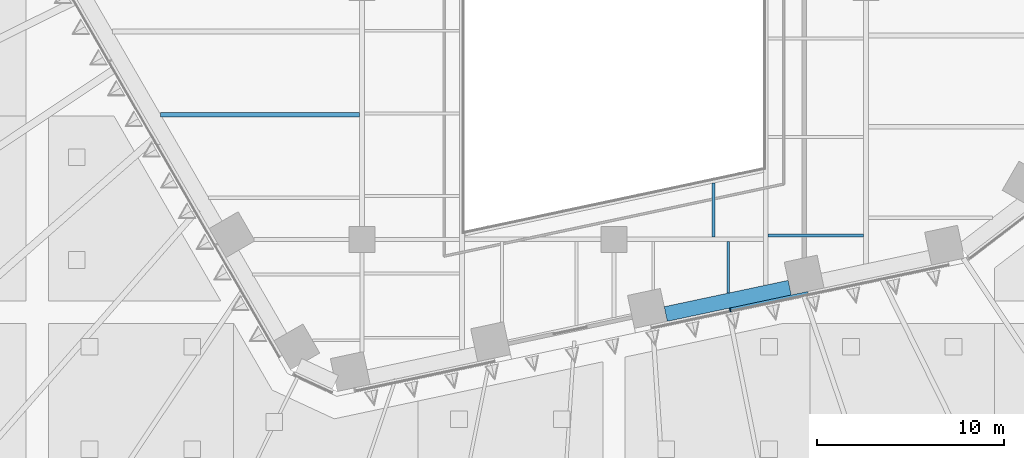
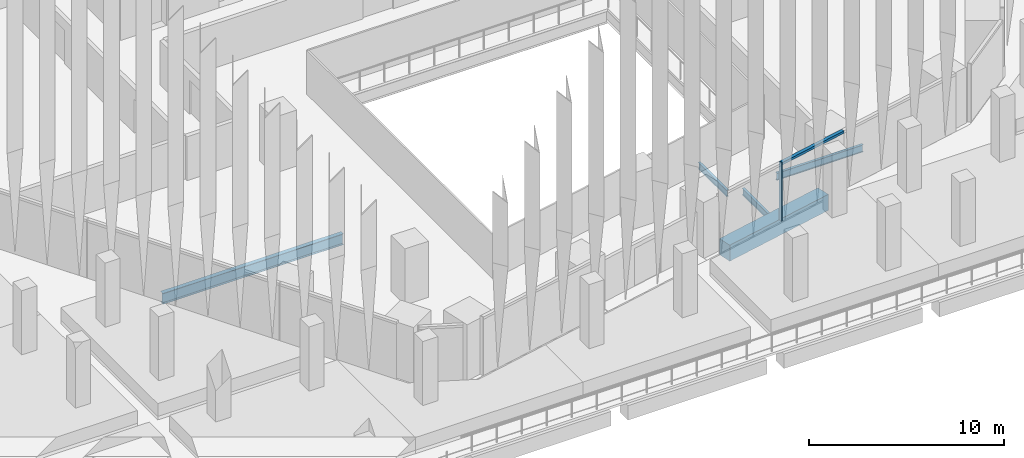
# One storey, part 5 of 51: 5 beams, 2 members, 1 element without a shape of its own.
"""IFC4 building model written with IfcOpenShell, lengths in metres."""

from ifc_helpers import new_model, si_unit, direction, frame, origin, origin_2d, place, context, subcontext, project, spatial, rectangle, i_section, extrude, material, layer, layer_set, material_profile, profile_set, type_object, element, aggregate, save


model = new_model("IFC4")

# Units and contexts
model_context = context("Model", 3, precision=1e-05, world=origin(), true_north=direction((0.0, 1.0)))
body_context = subcontext(model_context, "Body", "Model", "MODEL_VIEW")
ifc_project = project(units=[si_unit("LENGTHUNIT", "METRE"), si_unit("AREAUNIT", "SQUARE_METRE"), si_unit("VOLUMEUNIT", "CUBIC_METRE"), si_unit("PLANEANGLEUNIT", "RADIAN"), si_unit("MASSUNIT", "GRAM", prefix="KILO")], contexts=[model_context])

# Site, building, storey
site_placement = place(None, origin())
site = spatial("IfcSite", under=ifc_project, at=site_placement, CompositionType="ELEMENT")
building_placement = place(site_placement, origin())
building = spatial("IfcBuilding", under=site, at=building_placement, Name="Isthmus Gate Tower", CompositionType="ELEMENT")
storey_placement = place(building_placement, frame((0.0, 0.0, 36.0)))
storey = spatial("IfcBuildingStorey", under=building, at=storey_placement, Name="L06", CompositionType="ELEMENT", Elevation=36.0)

# Curtain wall, members
ifc_material_1 = material(Name="Aluminium, pale champagne anodised", Category="aluminium")
ifc_layer = layer(ifc_material_1, 0.199951171875)
ifc_layer_set = layer_set([ifc_layer], Name="CW-1 UNITISED CURTAIN WALL 200 DEEP")
curtain_wall_type = type_object("IfcCurtainWallType", Name="CW-1 UNITISED CURTAIN WALL 200 DEEP", PredefinedType="NOTDEFINED", material=ifc_layer_set)
curtain_wall_placement = place(storey_placement, origin())
curtain_wall = element("IfcCurtainWall", 1, at=curtain_wall_placement, inside=storey, type_object=curtain_wall_type, Name="CW-1 S L06", PredefinedType="NOTDEFINED")
ifc_material_2 = material(Name="Aluminium, pale champagne anodised", Category="aluminium")
ifc_material_profile_1 = material_profile(ifc_material_2, rectangle(XDim=0.06005859375, YDim=0.199951171875, at=origin_2d()), Name="60x200")
ifc_profile_set_1 = profile_set([ifc_material_profile_1], Name="Aluminium, pale champagne anodised")
member_type_1 = type_object("IfcMemberType", Name="CW-1 MULLION 60 X 200", PredefinedType="MULLION", material=ifc_profile_set_1)
member_1_placement = place(storey_placement, frame((6.228759765625, -30.7783203125, 0.0), z_axis=(0.0, 0.0, 1.0), x_axis=(0.978147600734, 0.207911690818, 0.0)))
member_1 = element("IfcMember", 2, at=member_1_placement, type_object=member_type_1, Name="CW-1 mullion", PredefinedType="MULLION", context=body_context, shape_type="SweptSolid", body=[
    extrude(rectangle(XDim=0.06005859375, YDim=0.199951171875, at=origin_2d()), origin(), (0.0, 0.0, 1.0), 3.64990234375),
])
ifc_material_3 = material(Name="Aluminium, pale champagne anodised", Category="aluminium")
ifc_material_profile_2 = material_profile(ifc_material_3, rectangle(XDim=0.199951171875, YDim=0.14990234375, at=origin_2d()), Name="200x150")
ifc_profile_set_2 = profile_set([ifc_material_profile_2], Name="Aluminium, pale champagne anodised")
member_type_2 = type_object("IfcMemberType", Name="CW-1 TRANSOM 200 X 150", PredefinedType="USERDEFINED", material=ifc_profile_set_2)
member_2_placement = place(storey_placement, frame((6.258056640625, -30.77197265625, 3.574951171875), z_axis=(0.978150351608, 0.20789874855, 0.0), x_axis=(-0.20789874855, 0.978150351608, 0.0)))
member_2 = element("IfcMember", 3, at=member_2_placement, type_object=member_type_2, Name="CW-1 transom", ObjectType="TRANSOM", PredefinedType="USERDEFINED", context=body_context, shape_type="SweptSolid", body=[
    extrude(rectangle(XDim=0.199951171875, YDim=0.14990234375, at=origin_2d()), origin(), (0.0, 0.0, 1.0), 4.234619140625),
])
aggregate(curtain_wall, [member_1, member_2])

# Beams
ifc_material_4 = material(Name="Concrete f'c 70 MPa", Category="concrete")
ifc_material_profile_3 = material_profile(ifc_material_4, rectangle(XDim=0.800048828125, YDim=1.0, at=origin_2d()), Name="RC 800X1000")
ifc_profile_set_3 = profile_set([ifc_material_profile_3], Name="Concrete f'c 70 MPa")
beam_type_1 = type_object("IfcBeamType", Name="RC SPANDREL 800 X 1000", PredefinedType="SPANDREL", material=ifc_profile_set_3)
beam_1_placement = place(storey_placement, frame((9.415771484375, -29.589599609375, -0.5), z_axis=(-0.978145779981, -0.207920256603, 0.0), x_axis=(0.207920256603, -0.978145779981, 0.0)))
element("IfcBeam", 4, at=beam_1_placement, inside=storey, type_object=beam_type_1, Name="str-spandrel-L06-11", PredefinedType="SPANDREL", context=body_context, shape_type="SweptSolid", body=[
    extrude(rectangle(XDim=0.800048828125, YDim=1.0, at=origin_2d()), origin(), (0.0, 0.0, 1.0), 6.789306640625),
])
ifc_material_5 = material(Name="Structural steel ASTM A992 Gr 50", Category="steel")
ifc_material_profile_4 = material_profile(ifc_material_5, i_section(OverallWidth=0.1396484375, OverallDepth=0.4033203125, WebThickness=0.00634765625, FlangeThickness=0.010986328125, at=origin_2d()), Name="W16X31")
ifc_profile_set_4 = profile_set([ifc_material_profile_4], Name="Structural steel ASTM A992 Gr 50")
beam_type_2 = type_object("IfcBeamType", Name="STEEL FLOOR BEAM W16X31", PredefinedType="JOIST", material=ifc_profile_set_4)
beam_2_placement = place(storey_placement, frame((5.333251953125, -26.8857421875, -0.3515625), z_axis=(0.0, 1.0, 0.0), x_axis=(-1.0, 0.0, 0.0)))
element("IfcBeam", 5, at=beam_2_placement, inside=storey, type_object=beam_type_2, Name="str-beam-L06-17-00", PredefinedType="JOIST", context=body_context, shape_type="SweptSolid", body=[
    extrude(i_section(OverallWidth=0.1396484375, OverallDepth=0.4033203125, WebThickness=0.00634765625, FlangeThickness=0.010986328125, at=origin_2d()), origin(), (0.0, 0.0, 1.0), 2.903076171875),
])
beam_3_placement = place(storey_placement, frame((6.125, -29.880126953125, -0.3515625), z_axis=(0.0, 1.0, 0.0), x_axis=(-1.0, 0.0, 0.0)))
element("IfcBeam", 6, at=beam_3_placement, inside=storey, type_object=beam_type_2, Name="str-beam-L06-18-01", PredefinedType="JOIST", context=body_context, shape_type="SweptSolid", body=[
    extrude(i_section(OverallWidth=0.1396484375, OverallDepth=0.4033203125, WebThickness=0.00634765625, FlangeThickness=0.010986328125, at=origin_2d()), origin(), (0.0, 0.0, 1.0), 2.765869140625),
])
ifc_material_6 = material(Name="Structural steel ASTM A992 Gr 50", Category="steel")
ifc_material_profile_5 = material_profile(ifc_material_6, i_section(OverallWidth=0.15234375, OverallDepth=0.45068359375, WebThickness=0.0078125, FlangeThickness=0.010986328125, at=origin_2d()), Name="W18X35")
ifc_profile_set_5 = profile_set([ifc_material_profile_5], Name="Structural steel ASTM A992 Gr 50")
beam_type_3 = type_object("IfcBeamType", Name="STEEL FLOOR BEAM W18X35", PredefinedType="JOIST", material=ifc_profile_set_5)
beam_4_placement = place(storey_placement, frame((8.263427734375, -26.788818359375, -0.37548828125), z_axis=(1.0, 0.0, 0.0), x_axis=(0.0, 1.0, 0.0)))
element("IfcBeam", 7, at=beam_4_placement, inside=storey, type_object=beam_type_3, Name="str-beam-L06-22-00", PredefinedType="JOIST", context=body_context, shape_type="SweptSolid", body=[
    extrude(i_section(OverallWidth=0.15234375, OverallDepth=0.45068359375, WebThickness=0.0078125, FlangeThickness=0.010986328125, at=origin_2d()), origin(), (0.0, 0.0, 1.0), 5.103271484375),
])
ifc_material_7 = material(Name="Structural steel ASTM A992 Gr 50", Category="steel")
ifc_material_profile_6 = material_profile(ifc_material_7, i_section(OverallWidth=0.25390625, OverallDepth=0.679443359375, WebThickness=0.010986328125, FlangeThickness=0.015869140625, at=origin_2d()), Name="W27X84")
ifc_profile_set_6 = profile_set([ifc_material_profile_6], Name="Structural steel ASTM A992 Gr 50")
beam_type_4 = type_object("IfcBeamType", Name="STEEL FLOOR BEAM W27X84", PredefinedType="JOIST", material=ifc_profile_set_6)
beam_5_placement = place(storey_placement, frame((-24.296875, -20.316650390625, -0.48974609375), z_axis=(1.0, 0.0, 0.0), x_axis=(0.0, 1.0, 0.0)))
element("IfcBeam", 8, at=beam_5_placement, inside=storey, type_object=beam_type_4, Name="str-beam-L06-05-01", PredefinedType="JOIST", context=body_context, shape_type="SweptSolid", body=[
    extrude(i_section(OverallWidth=0.25390625, OverallDepth=0.679443359375, WebThickness=0.010986328125, FlangeThickness=0.015869140625, at=origin_2d()), origin(), (0.0, 0.0, 1.0), 10.6650390625),
])

save(model, "model.ifc")
